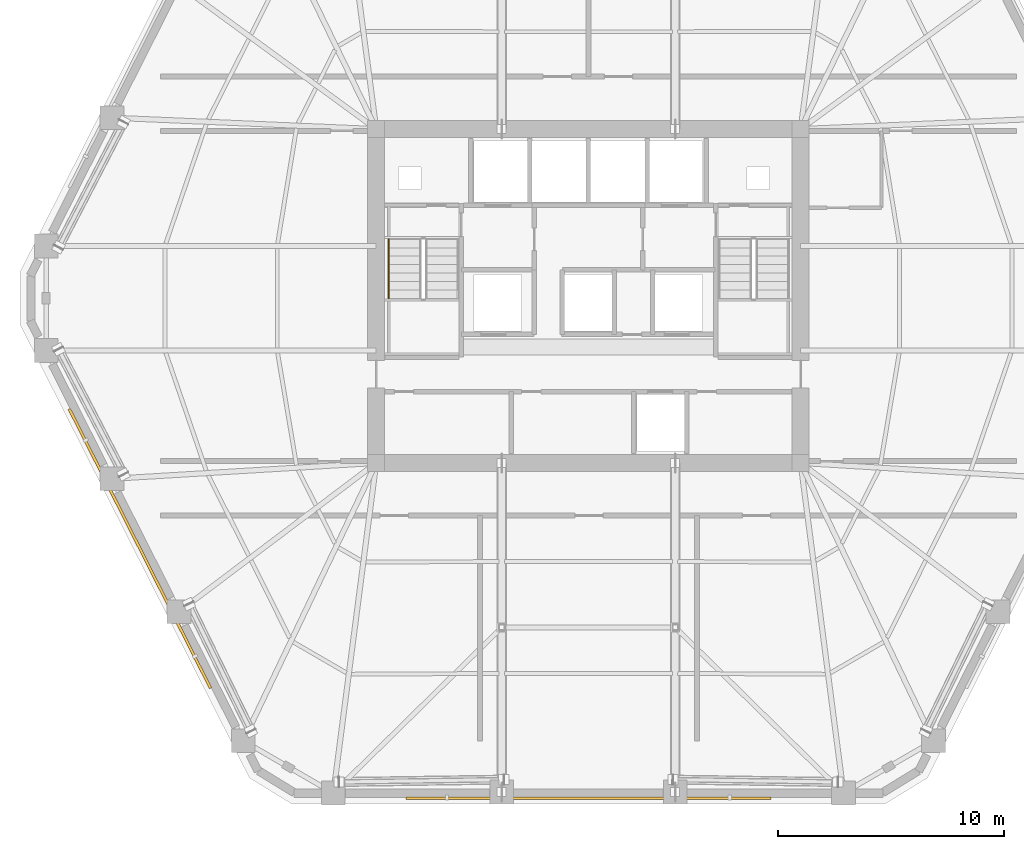
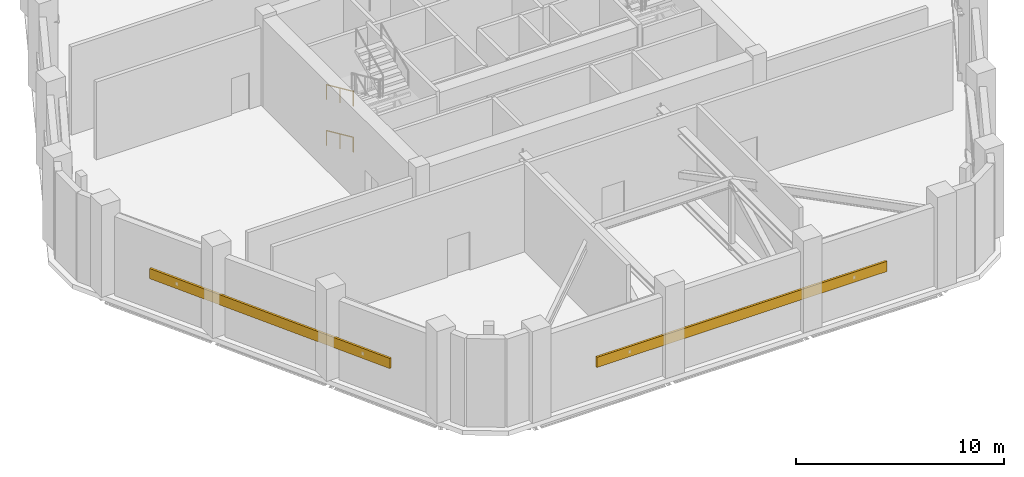
# One storey, part 13 of 15: 2 railings, 2 shading devices.
"""IFC4 building model written with IfcOpenShell, lengths in metres."""

from ifc_helpers import new_model, si_unit, direction, frame, origin, origin_2d, place, context, subcontext, project, spatial, rectangle, extrude, material, layer, layer_set, type_object, element, save


model = new_model("IFC4")

# Units and contexts
model_context = context("Model", 3, precision=1e-05, world=origin(), true_north=direction((0.0, 1.0)))
body_context = subcontext(model_context, "Body", "Model", "MODEL_VIEW")
ifc_project = project(units=[si_unit("LENGTHUNIT", "METRE"), si_unit("AREAUNIT", "SQUARE_METRE"), si_unit("VOLUMEUNIT", "CUBIC_METRE"), si_unit("PLANEANGLEUNIT", "RADIAN"), si_unit("MASSUNIT", "GRAM", prefix="KILO")], contexts=[model_context])

# Site, building, storey
site_placement = place(None, origin())
site = spatial("IfcSite", under=ifc_project, at=site_placement, CompositionType="ELEMENT")
building_placement = place(site_placement, origin())
building = spatial("IfcBuilding", under=site, at=building_placement, Name="Cinnabar Lancet Tower", CompositionType="ELEMENT")
storey_placement = place(building_placement, frame((0.0, 0.0, 148.10009765625)))
storey = spatial("IfcBuildingStorey", under=building, at=storey_placement, Name="L39", CompositionType="ELEMENT", Elevation=148.10009765625)

# Shading devices
ifc_material_1 = material(Name="Anodized acoustic plant weather louvre", Category="aluminium")
ifc_layer = layer(ifc_material_1, 0.094970703125)
ifc_layer_set = layer_set([ifc_layer], Name="Anodized acoustic plant weather louvre")
shading_device_type = type_object("IfcShadingDeviceType", Name="ENV-SHD-LVR-600", PredefinedType="JALOUSIE", material=ifc_layer_set)
shading_device_1_placement = place(storey_placement, frame((32.39990234375, 3.7099609375, 1.849853515625), z_axis=(0.0, 0.0, 1.0), x_axis=(1.0, 0.0, 0.0)))
element("IfcShadingDevice", 1, at=shading_device_1_placement, inside=storey, type_object=shading_device_type, Name="L39 Face 1 Acoustic Plant Weather Louvre", PredefinedType="JALOUSIE", context=body_context, shape_type="SweptSolid", body=[
    extrude(rectangle(XDim=16.1259765625, YDim=0.1201171875, at=origin_2d()), origin(), (0.0, 0.0, 1.0), 0.60009765625),
])
shading_device_2_placement = place(storey_placement, frame((12.5849609375, 14.743896484375, 1.849853515625), z_axis=(0.0, 0.0, 1.0), x_axis=(0.45142270618, -0.892310226516, 0.0)))
element("IfcShadingDevice", 2, at=shading_device_2_placement, inside=storey, type_object=shading_device_type, Name="L39 Face 6 Acoustic Plant Weather Louvre", PredefinedType="JALOUSIE", context=body_context, shape_type="SweptSolid", body=[
    extrude(rectangle(XDim=13.823974609375, YDim=0.1201171875, at=origin_2d()), origin(), (0.0, 0.0, 1.0), 0.60009765625),
])

# Railings
ifc_material_2 = material(Name="Brushed stainless steel handrail", Category="steel")
railing_type = type_object("IfcRailingType", Name="HANDRAIL-STAIR", PredefinedType="HANDRAIL", material=ifc_material_2)
for number, where, name in (
    (3, (23.574951171875, 28.39990234375, 0.168701171875), "L39 ST-1 stair handrail 1"),
    (4, (23.574951171875, 28.39990234375, 2.86865234375), "L39 ST-1 stair handrail 3"),
):
    element("IfcRailing", number, at=place(storey_placement, frame(where)), inside=storey, type_object=railing_type, Name=name, PredefinedType="HANDRAIL", context=body_context, shape_type="SweptSolid", body=[
        extrude(rectangle(XDim=0.048095703125, YDim=0.048095703125, at=origin_2d()), frame((0.0, 0.0, 0.8759765625), z_axis=(0.0, -0.910430886142, 0.413661215923), x_axis=(1.0, 0.0, 0.0)), (0.0, 0.0, 1.0), 2.85546875),
        extrude(rectangle(XDim=0.0419921875, YDim=0.0419921875, at=origin_2d()), origin(), (0.0, 0.0, 1.0), 0.851806640625),
        extrude(rectangle(XDim=0.0419921875, YDim=0.0419921875, at=origin_2d()), frame((0.0, -1.2998046875, 0.590576171875)), (0.0, 0.0, 1.0), 0.851806640625),
        extrude(rectangle(XDim=0.0419921875, YDim=0.0419921875, at=origin_2d()), frame((0.0, -2.599609375, 1.18115234375)), (0.0, 0.0, 1.0), 0.851806640625),
    ])

save(model, "model.ifc")
